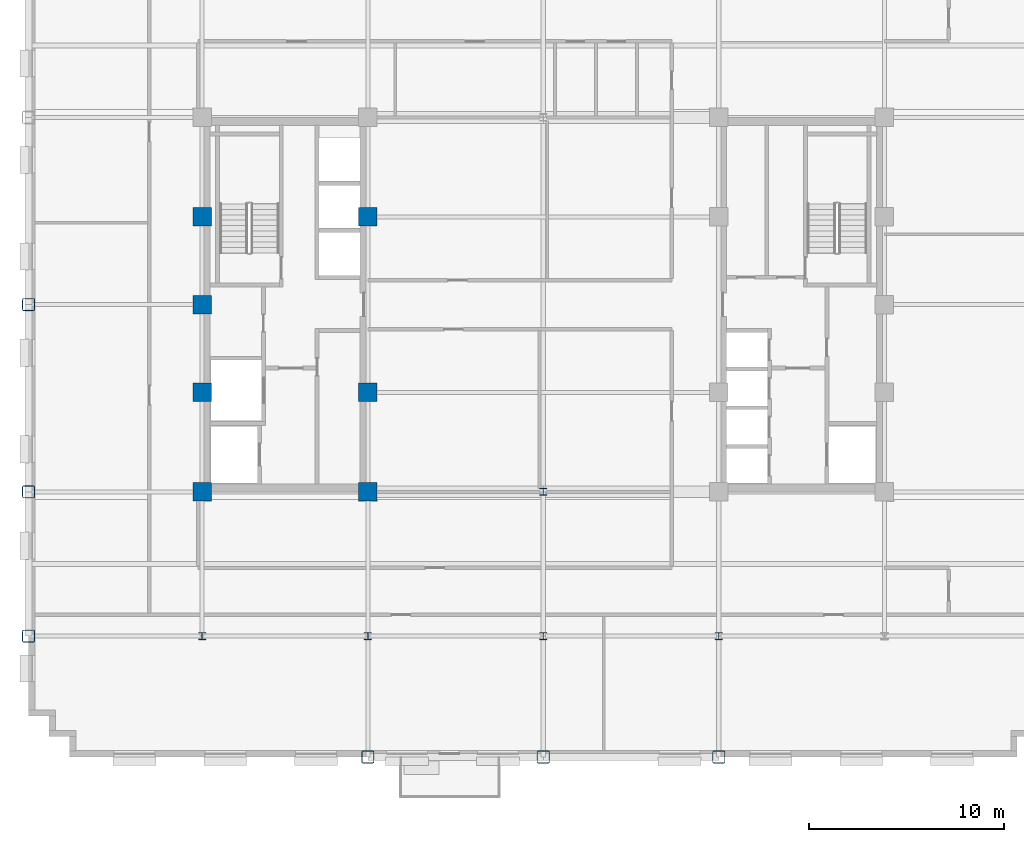
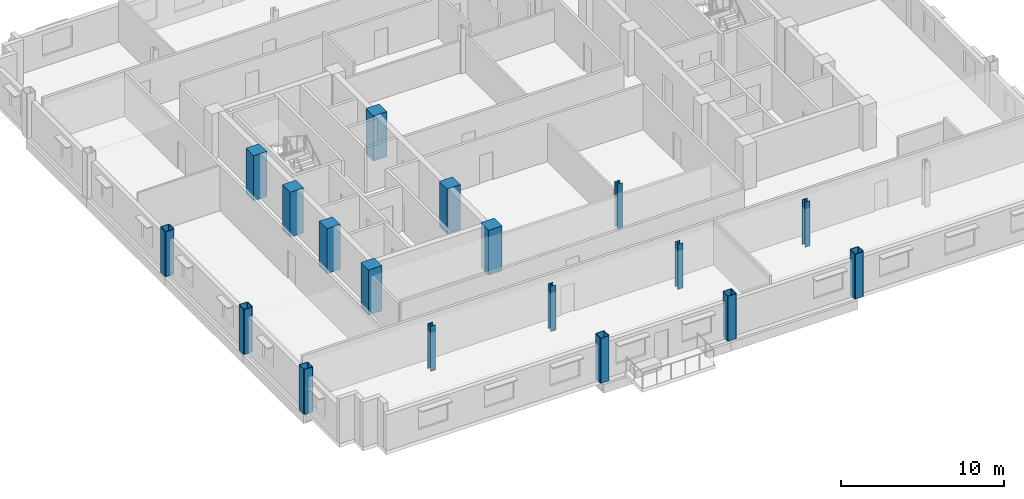
# One storey, part 1 of 14: 18 columns.
"""IFC4 building model written with IfcOpenShell, lengths in metres."""

from ifc_helpers import new_model, si_unit, direction, frame, origin, origin_2d, place, context, subcontext, project, spatial, rectangle, hollow_rectangle, i_section, extrude, material, material_profile, profile_set, type_object, element, save


model = new_model("IFC4")

# Units and contexts
model_context = context("Model", 3, precision=1e-05, world=origin(), true_north=direction((0.0, 1.0)))
body_context = subcontext(model_context, "Body", "Model", "MODEL_VIEW")
ifc_project = project(units=[si_unit("LENGTHUNIT", "METRE"), si_unit("AREAUNIT", "SQUARE_METRE"), si_unit("VOLUMEUNIT", "CUBIC_METRE"), si_unit("PLANEANGLEUNIT", "RADIAN"), si_unit("MASSUNIT", "GRAM", prefix="KILO")], contexts=[model_context])

# Site, building, storey
site_placement = place(None, origin())
site = spatial("IfcSite", under=ifc_project, at=site_placement, CompositionType="ELEMENT")
building_placement = place(site_placement, origin())
building = spatial("IfcBuilding", under=site, at=building_placement, Name="Nuvemarco Arch Tower", CompositionType="ELEMENT")
storey_placement = place(building_placement, frame((0.0, 0.0, 145.75)))
storey = spatial("IfcBuildingStorey", under=building, at=storey_placement, Name="L38", CompositionType="ELEMENT", Elevation=145.75)

# Columns
ifc_material_1 = material(Name="Concrete C50/60", Category="concrete")
ifc_material_profile_1 = material_profile(ifc_material_1, rectangle(XDim=0.949951171875, YDim=0.949951171875, at=origin_2d()), Name="RC-COL-950x950")
ifc_profile_set_1 = profile_set([ifc_material_profile_1], Name="Concrete C50/60")
column_type_1 = type_object("IfcColumnType", Name="COL-CORE-950", PredefinedType="COLUMN", material=ifc_profile_set_1)
for number, where, z_axis, x_axis, name in (
    (1, (-17.5, -9.60009765625, 0.0), (0.0, 0.0, 1.0), (1.0, 0.0, 0.0), "L38 column CC_-17.5_-9.6"),
    (2, (-17.5, -4.5, 0.0), (0.0, 0.0, 1.0), (1.0, 0.0, 0.0), "L38 column CC_-17.5_-4.5"),
    (3, (-17.5, 4.5, 0.0), (0.0, 0.0, 1.0), (1.0, 0.0, 0.0), "L38 column CC_-17.5_+4.5"),
    (4, (-9.0, -9.60009765625, 0.0), (0.0, 0.0, 1.0), (1.0, 0.0, 0.0), "L38 column CC_-9.0_-9.6"),
    (5, (-9.0, -4.5, 0.0), (0.0, 0.0, 1.0), (1.0, 0.0, 0.0), "L38 column CC_-9.0_-4.5"),
    (6, (-9.0, 4.5, 0.0), (0.0, 0.0, 1.0), (1.0, 0.0, 0.0), "L38 column CC_-9.0_+4.5"),
    (7, (-17.5, 0.0, 0.0), (0.0, 0.0, 1.0), (1.0, 0.0, 0.0), "L38 column CC_-17.5_+0.0"),
):
    element("IfcColumn", number, at=place(storey_placement, frame(where, z_axis=z_axis, x_axis=x_axis)), inside=storey, type_object=column_type_1, Name=name, PredefinedType="COLUMN", context=body_context, shape_type="SweptSolid", body=[
        extrude(rectangle(XDim=0.949951171875, YDim=0.949951171875, at=origin_2d()), origin(), (0.0, 0.0, 1.0), 3.3701171875),
    ])
ifc_material_2 = material(Name="Steel S355", Category="steel")
ifc_material_profile_2 = material_profile(ifc_material_2, hollow_rectangle(XDim=0.64990234375, YDim=0.64990234375, WallThickness=0.0400390625, InnerFilletRadius=0.0400390625, OuterFilletRadius=0.080078125, at=origin_2d()), Name="SHS650x650x40")
ifc_profile_set_2 = profile_set([ifc_material_profile_2], Name="Steel S355")
column_type_2 = type_object("IfcColumnType", Name="COL-EXO-650", PredefinedType="COLUMN", material=ifc_profile_set_2)
for number, where, z_axis, x_axis, name in (
    (8, (-26.39990234375, -17.0, 0.0), (0.0, 0.0, 1.0), (1.0, 0.0, 0.0), "L38 column CX_-26.4_-17.0"),
    (9, (-26.39990234375, -9.60009765625, 0.0), (0.0, 0.0, 1.0), (1.0, 0.0, 0.0), "L38 column CX_-26.4_-9.6"),
    (10, (-26.39990234375, 0.0, 0.0), (0.0, 0.0, 1.0), (1.0, 0.0, 0.0), "L38 column CX_-26.4_+0.0"),
    (11, (-9.0, -23.199951171875, 0.0), (0.0, 0.0, 1.0), (1.0, 0.0, 0.0), "L38 column CY_-9.0_-23.2"),
    (12, (0.0, -23.199951171875, 0.0), (0.0, 0.0, 1.0), (1.0, 0.0, 0.0), "L38 column CY_+0.0_-23.2"),
    (13, (9.0, -23.199951171875, 0.0), (0.0, 0.0, 1.0), (1.0, 0.0, 0.0), "L38 column CY_+9.0_-23.2"),
):
    element("IfcColumn", number, at=place(storey_placement, frame(where, z_axis=z_axis, x_axis=x_axis)), inside=storey, type_object=column_type_2, Name=name, PredefinedType="COLUMN", context=body_context, shape_type="SweptSolid", body=[
        extrude(hollow_rectangle(XDim=0.64990234375, YDim=0.64990234375, WallThickness=0.0400390625, InnerFilletRadius=0.0400390625, OuterFilletRadius=0.080078125, at=origin_2d()), origin(), (0.0, 0.0, 1.0), 3.3701171875),
    ])
ifc_material_profile_3 = material_profile(ifc_material_2, i_section(OverallWidth=0.360107421875, OverallDepth=0.360107421875, WebThickness=0.0205078125, FlangeThickness=0.0205078125, FilletRadius=0.01806640625, at=origin_2d()), Name="HP360x174")
ifc_profile_set_3 = profile_set([ifc_material_profile_3], Name="Steel S355")
column_type_3 = type_object("IfcColumnType", Name="COL-STL-HP360", PredefinedType="COLUMN", material=ifc_profile_set_3)
for number, where, z_axis, x_axis, name in (
    (14, (0.0, -17.0, 0.0), (0.0, 0.0, 1.0), (1.0, 0.0, 0.0), "L38 column CI_+0.0_-17.0"),
    (15, (0.0, -9.60009765625, 0.0), (0.0, 0.0, 1.0), (1.0, 0.0, 0.0), "L38 column CI_+0.0_-9.6"),
    (16, (-17.5, -17.0, 0.0), (0.0, 0.0, 1.0), (1.0, 0.0, 0.0), "L38 column CI_-17.5_-17.0"),
    (17, (-9.0, -17.0, 0.0), (0.0, 0.0, 1.0), (1.0, 0.0, 0.0), "L38 column CI_-9.0_-17.0"),
    (18, (9.0, -17.0, 0.0), (0.0, 0.0, 1.0), (1.0, 0.0, 0.0), "L38 column CI_+9.0_-17.0"),
):
    element("IfcColumn", number, at=place(storey_placement, frame(where, z_axis=z_axis, x_axis=x_axis)), inside=storey, type_object=column_type_3, Name=name, PredefinedType="COLUMN", context=body_context, shape_type="SweptSolid", body=[
        extrude(i_section(OverallWidth=0.360107421875, OverallDepth=0.360107421875, WebThickness=0.0205078125, FlangeThickness=0.0205078125, FilletRadius=0.01806640625, at=origin_2d()), origin(), (0.0, 0.0, 1.0), 3.3701171875),
    ])

save(model, "model.ifc")
